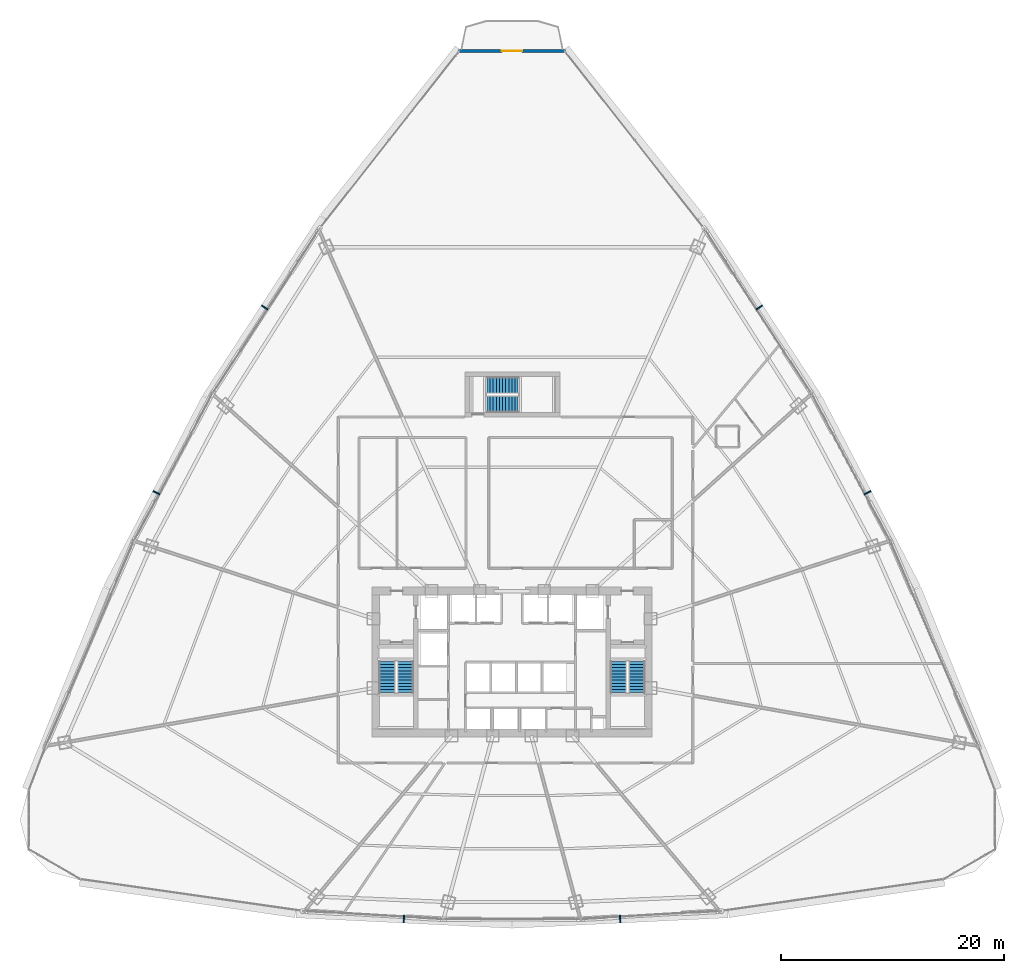
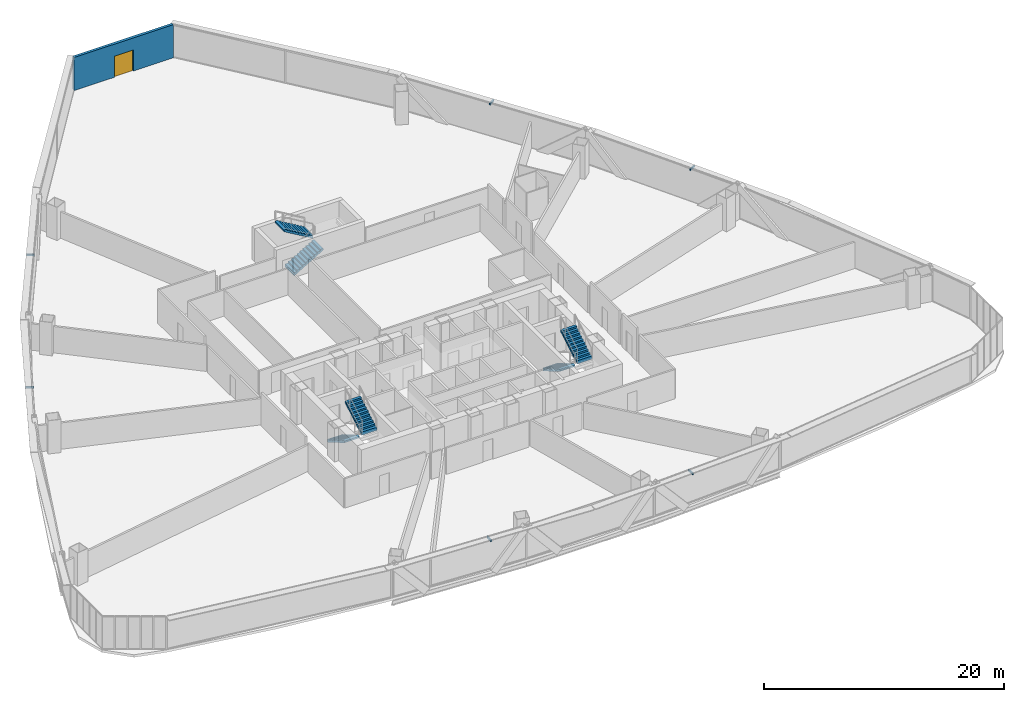
# One storey, part 38 of 42: 6 discrete accessories, 6 stair flights, 1 door, 1 wall, 1 opening, 3 elements without a shape of their own.
"""IFC4 building model written with IfcOpenShell, lengths in metres."""

from ifc_helpers import new_model, si_unit, direction, frame, frame_2d, origin, origin_with_axes, origin_2d, place, context, subcontext, project, spatial, polyline, rectangle, outline, extrude, source, transform, mapped, material, layer, layer_set, type_object, element, fill, aggregate, save


model = new_model("IFC4")

# Units and contexts
model_context = context("Model", 3, precision=1e-05, world=origin(), true_north=direction((0.0, 1.0)))
body_context = subcontext(model_context, "Body", "Model", "MODEL_VIEW")
ifc_project = project(units=[si_unit("LENGTHUNIT", "METRE"), si_unit("AREAUNIT", "SQUARE_METRE"), si_unit("VOLUMEUNIT", "CUBIC_METRE"), si_unit("PLANEANGLEUNIT", "RADIAN"), si_unit("MASSUNIT", "GRAM", prefix="KILO"), si_unit("THERMODYNAMICTEMPERATUREUNIT", "KELVIN"), si_unit("POWERUNIT", "WATT")], contexts=[model_context])

# Site, building, storey
site_placement = place(None, origin())
site = spatial("IfcSite", under=ifc_project, at=site_placement, CompositionType="ELEMENT")
building_placement = place(site_placement, origin())
building = spatial("IfcBuilding", under=site, at=building_placement, Name="Yunzhuo Pagoda Commons", CompositionType="ELEMENT")
storey_placement = place(building_placement, frame((0.0, 0.0, 44.919921875)))
storey = spatial("IfcBuildingStorey", under=building, at=storey_placement, Name="L11", CompositionType="ELEMENT", Elevation=44.919921875)

# Wall, opening, door
ifc_material_1 = material(Name="Precast concrete C40", Category="concrete")
ifc_layer = layer(ifc_material_1, 0.260009765625)
ifc_layer_set = layer_set([ifc_layer], Name="Precast concrete C40")
wall_type = type_object("IfcWallType", Name="W-BAL1 Corner Balcony Threshold Wall 260", PredefinedType="STANDARD", material=ifc_layer_set)
wall_placement = place(storey_placement, frame((52.773193359375, 88.565673828125, 0.0), z_axis=(0.0, 0.0, 1.0), x_axis=(-1.0, 0.0, 0.0)))
wall = element("IfcWall", 1, at=wall_placement, inside=storey, type_object=wall_type, Name="L11 corner balcony wall V3", PredefinedType="STANDARD", context=body_context, shape_type="SweptSolid", body=[
    extrude(rectangle(XDim=9.54638671875, YDim=0.260009765625, at=frame_2d((4.773193359375, 0.0))), origin(), (0.0, 0.0, 1.0), 3.3701171875),
])
opening_placement = place(wall_placement, frame((3.873291015625, 0.0, 0.0)))
opening = element("IfcOpeningElement", 2, at=opening_placement, cuts=wall, Name="Opening D-BAL1", PredefinedType="OPENING", context=body_context, shape_type="SweptSolid", body=[
    extrude(rectangle(XDim=1.800048828125, YDim=2.14990234375, at=frame_2d((0.89990234375, 1.074951171875))), frame((0.0, 0.14013671875, 0.0), z_axis=(0.0, -1.0, 0.0), x_axis=(1.0, 0.0, 0.0)), (0.0, 0.0, 1.0), 0.280029296875),
])
ifc_material_2 = material(Name="Anodized aluminium frame and tempered glazed leaf", Category="aluminium")
door_type = type_object("IfcDoorType", Name="D-BAL1 Corner Balcony Sliding Glazed Door 1800x2150", OperationType="DOUBLE_DOOR_SLIDING", PredefinedType="DOOR", material=ifc_material_2)
shared_shape_1 = source(origin(), body_context, "Body", "SweptSolid", [
    extrude(rectangle(XDim=1.800048828125, YDim=2.14990234375, at=frame_2d((0.89990234375, 1.074951171875))), frame((0.0, 0.02490234375, 0.0), z_axis=(0.0, -1.0, 0.0), x_axis=(1.0, 0.0, 0.0)), (0.0, 0.0, 1.0), 0.050048828125),
])
door_placement = place(opening_placement, origin_with_axes())
door = element("IfcDoor", 3, at=door_placement, inside=storey, type_object=door_type, Name="L11 corner balcony sliding door V3", OperationType="DOUBLE_DOOR_SLIDING", OverallHeight=2.14990234375, OverallWidth=1.800048828125, PredefinedType="DOOR", context=body_context, shape_type="MappedRepresentation", body=[
    mapped(shared_shape_1, transform((0.0, 0.0, 0.0), scale=1.0)),
])
fill(opening, door)

# Stair, stair flights
ifc_material_3 = material(Name="Concrete C40", Category="concrete")
stair_type_1 = type_object("IfcStairType", Name="ST-C1 Core Smokeproof Stair ST1", PredefinedType="HALF_TURN_STAIR", material=ifc_material_3)
stair_1_placement = place(storey_placement, origin())
stair_1 = element("IfcStair", 4, at=stair_1_placement, inside=storey, type_object=stair_type_1, Name="L11 Core smokeproof stair ST1", PredefinedType="HALF_TURN_STAIR")
stair_flight_type_1 = type_object("IfcStairFlightType", Name="STF-C1 Core Stair Flight 1450", PredefinedType="STRAIGHT", material=ifc_material_3)
shared_shape_2 = source(origin(), body_context, "Body", "SweptSolid", [
    extrude(outline(polyline([(0.0, -0.14990234375), (0.0, 0.0), (0.0, 0.1650390625), (0.280029296875, 0.1650390625), (0.280029296875, 0.330078125), (0.56005859375, 0.330078125), (0.56005859375, 0.4951171875), (0.840087890625, 0.4951171875), (0.840087890625, 0.659912109375), (1.1201171875, 0.659912109375), (1.1201171875, 0.824951171875), (1.39990234375, 0.824951171875), (1.39990234375, 0.989990234375), (1.679931640625, 0.989990234375), (1.679931640625, 1.155029296875), (1.9599609375, 1.155029296875), (1.9599609375, 1.320068359375), (2.239990234375, 1.320068359375), (2.239990234375, 1.485107421875), (2.52001953125, 1.485107421875), (2.52001953125, 1.64990234375), (2.800048828125, 1.64990234375), (2.800048828125, 1.81494140625), (2.800048828125, 1.47607421875), (0.295166015625, 0.0), (0.050048828125, -0.14990234375), (0.0, -0.14990234375)])), frame((0.0, 0.72509765625, 0.0), z_axis=(0.0, -1.0, 0.0), x_axis=(1.0, 0.0, 0.0)), (0.0, 0.0, 1.0), 1.449951171875),
])
stair_flight_1_placement = place(storey_placement, frame((36.824951171875, 33.89990234375, 0.0), z_axis=(0.0, 0.0, 1.0), x_axis=(0.0, -1.0, 0.0)))
stair_flight_1 = element("IfcStairFlight", 5, at=stair_flight_1_placement, type_object=stair_flight_type_1, Name="ST1 flight 1", NumberOfRisers=11, NumberOfTreads=10, PredefinedType="STRAIGHT", RiserHeight=0.165, TreadLength=0.28, context=body_context, shape_type="MappedRepresentation", body=[
    mapped(shared_shape_2, transform((0.0, 0.0, 0.0), scale=1.0)),
])
stair_flight_2_placement = place(storey_placement, frame((38.47509765625, 31.10009765625, 1.815185546875), z_axis=(0.0, 0.0, 1.0), x_axis=(0.0, 1.0, 0.0)))
stair_flight_2 = element("IfcStairFlight", 6, at=stair_flight_2_placement, type_object=stair_flight_type_1, Name="ST1 flight 2", NumberOfRisers=11, NumberOfTreads=10, PredefinedType="STRAIGHT", RiserHeight=0.165, TreadLength=0.28, context=body_context, shape_type="MappedRepresentation", body=[
    mapped(shared_shape_2, transform((0.0, 0.0, 0.0), scale=1.0)),
])
aggregate(stair_1, [stair_flight_1, stair_flight_2])

stair_type_2 = type_object("IfcStairType", Name="ST-C2 Core Smokeproof Stair ST2", PredefinedType="HALF_TURN_STAIR", material=ifc_material_3)
stair_2_placement = place(storey_placement, origin())
stair_2 = element("IfcStair", 7, at=stair_2_placement, inside=storey, type_object=stair_type_2, Name="L11 Core smokeproof stair ST2", PredefinedType="HALF_TURN_STAIR")
stair_flight_type_2 = type_object("IfcStairFlightType", Name="STF-C2 Core Stair Flight 1460", PredefinedType="STRAIGHT", material=ifc_material_3)
stair_flight_3_placement = place(storey_placement, frame((57.52490234375, 33.89990234375, 0.0), z_axis=(0.0, 0.0, 1.0), x_axis=(0.0, -1.0, 0.0)))
stair_flight_3 = element("IfcStairFlight", 8, at=stair_flight_3_placement, type_object=stair_flight_type_2, Name="ST2 flight 1", NumberOfRisers=11, NumberOfTreads=10, PredefinedType="STRAIGHT", RiserHeight=0.165, TreadLength=0.28, context=body_context, shape_type="MappedRepresentation", body=[
    mapped(shared_shape_2, transform((0.0, 0.0, 0.0), scale=1.0)),
])
stair_flight_4_placement = place(storey_placement, frame((59.175048828125, 31.10009765625, 1.815185546875), z_axis=(0.0, 0.0, 1.0), x_axis=(0.0, 1.0, 0.0)))
stair_flight_4 = element("IfcStairFlight", 9, at=stair_flight_4_placement, type_object=stair_flight_type_2, Name="ST2 flight 2", NumberOfRisers=11, NumberOfTreads=10, PredefinedType="STRAIGHT", RiserHeight=0.165, TreadLength=0.28, context=body_context, shape_type="MappedRepresentation", body=[
    mapped(shared_shape_2, transform((0.0, 0.0, 0.0), scale=1.0)),
])
aggregate(stair_2, [stair_flight_3, stair_flight_4])

stair_type_3 = type_object("IfcStairType", Name="ST-C3 North Tower Smokeproof Stair ST3", PredefinedType="HALF_TURN_STAIR", material=ifc_material_3)
stair_3_placement = place(storey_placement, origin())
stair_3 = element("IfcStair", 10, at=stair_3_placement, inside=storey, type_object=stair_type_3, Name="L11 North tower smokeproof stair ST3", PredefinedType="HALF_TURN_STAIR")
stair_flight_type_3 = type_object("IfcStairFlightType", Name="STF-C3 North Stair Flight 1500", PredefinedType="STRAIGHT", material=ifc_material_3)
shared_shape_3 = source(origin(), body_context, "Body", "SweptSolid", [
    extrude(outline(polyline([(0.0, -0.14990234375), (0.0, 0.0), (0.0, 0.1650390625), (0.280029296875, 0.1650390625), (0.280029296875, 0.330078125), (0.56005859375, 0.330078125), (0.56005859375, 0.4951171875), (0.840087890625, 0.4951171875), (0.840087890625, 0.659912109375), (1.1201171875, 0.659912109375), (1.1201171875, 0.824951171875), (1.39990234375, 0.824951171875), (1.39990234375, 0.989990234375), (1.679931640625, 0.989990234375), (1.679931640625, 1.155029296875), (1.9599609375, 1.155029296875), (1.9599609375, 1.320068359375), (2.239990234375, 1.320068359375), (2.239990234375, 1.485107421875), (2.52001953125, 1.485107421875), (2.52001953125, 1.64990234375), (2.800048828125, 1.64990234375), (2.800048828125, 1.81494140625), (2.800048828125, 1.47607421875), (0.295166015625, 0.0), (0.050048828125, -0.14990234375), (0.0, -0.14990234375)])), frame((0.0, 0.75, 0.0), z_axis=(0.0, -1.0, 0.0), x_axis=(1.0, 0.0, 0.0)), (0.0, 0.0, 1.0), 1.5),
])
stair_flight_5_placement = place(storey_placement, frame((45.75, 56.949951171875, 0.0), z_axis=(0.0, 0.0, 1.0), x_axis=(1.0, 0.0, 0.0)))
stair_flight_5 = element("IfcStairFlight", 11, at=stair_flight_5_placement, type_object=stair_flight_type_3, Name="ST3 flight 1", NumberOfRisers=11, NumberOfTreads=10, PredefinedType="STRAIGHT", RiserHeight=0.165, TreadLength=0.28, context=body_context, shape_type="MappedRepresentation", body=[
    mapped(shared_shape_3, transform((0.0, 0.0, 0.0), scale=1.0)),
])
stair_flight_6_placement = place(storey_placement, frame((48.550048828125, 58.64990234375, 1.815185546875), z_axis=(0.0, 0.0, 1.0), x_axis=(-1.0, 0.0, 0.0)))
stair_flight_6 = element("IfcStairFlight", 12, at=stair_flight_6_placement, type_object=stair_flight_type_3, Name="ST3 flight 2", NumberOfRisers=11, NumberOfTreads=10, PredefinedType="STRAIGHT", RiserHeight=0.165, TreadLength=0.28, context=body_context, shape_type="MappedRepresentation", body=[
    mapped(shared_shape_3, transform((0.0, 0.0, 0.0), scale=1.0)),
])
aggregate(stair_3, [stair_flight_5, stair_flight_6])

# Discrete accessories
ifc_material_4 = material(Name="Anodized aluminium 6063-T6", Category="aluminium")
discrete_accessory_type = type_object("IfcDiscreteAccessoryType", Name="BK-SUN1 Sunshade Outrigger Bracket", PredefinedType="BRACKET", material=ifc_material_4)
shared_shape_4 = source(origin(), body_context, "Body", "SweptSolid", [
    extrude(rectangle(XDim=0.1201171875, YDim=0.679931640625, at=origin_2d()), origin(), (0.0, 0.0, 1.0), 0.179931640625),
])
for number, where, z_axis, x_axis, name in (
    (13, (38.313232421875, 10.8359375, 3.16015625), (0.0, 0.0, 1.0), (0.998818043775, -0.04860571396, 0.0), "L11 sunshade outrigger bracket F1.2"),
    (14, (57.686767578125, 10.8359375, 3.16015625), (0.0, 0.0, 1.0), (0.998818043775, 0.04860571396, 0.0), "L11 sunshade outrigger bracket F1.3"),
    (15, (79.840087890625, 49.005126953125, 3.16015625), (0.0, 0.0, 1.0), (-0.461206683033, 0.88729273384, 0.0), "L11 sunshade outrigger bracket F2.2"),
    (16, (70.1533203125, 65.599853515625, 3.16015625), (0.0, 0.0, 1.0), (-0.545853380833, 0.837880711458, 0.0), "L11 sunshade outrigger bracket F2.3"),
    (17, (25.8466796875, 65.599853515625, 3.16015625), (0.0, 0.0, 1.0), (-0.545853380833, -0.837880711458, 0.0), "L11 sunshade outrigger bracket F3.2"),
    (18, (16.159912109375, 49.005126953125, 3.16015625), (0.0, 0.0, 1.0), (-0.461206683033, -0.88729273384, 0.0), "L11 sunshade outrigger bracket F3.3"),
):
    element("IfcDiscreteAccessory", number, at=place(storey_placement, frame(where, z_axis=z_axis, x_axis=x_axis)), inside=storey, type_object=discrete_accessory_type, Name=name, PredefinedType="BRACKET", context=body_context, shape_type="MappedRepresentation", body=[
        mapped(shared_shape_4, transform((0.0, 0.0, 0.0), scale=1.0)),
    ])

save(model, "model.ifc")
